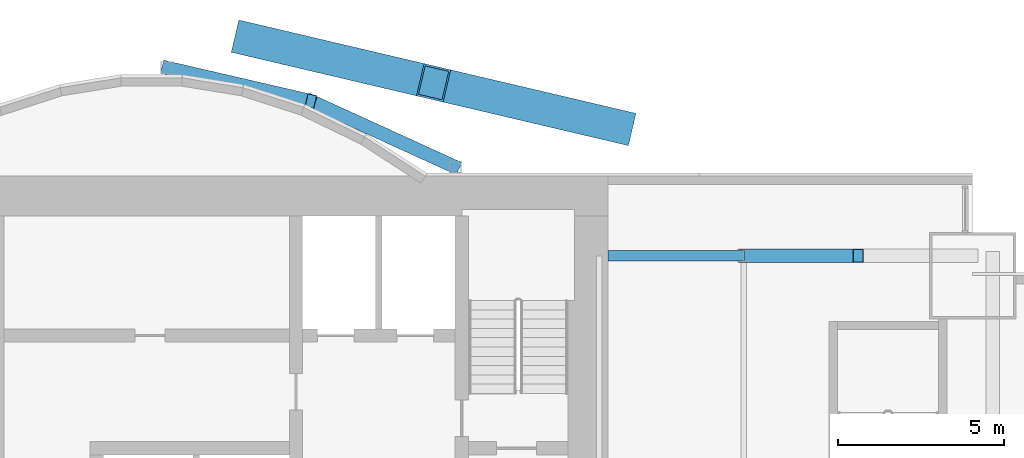
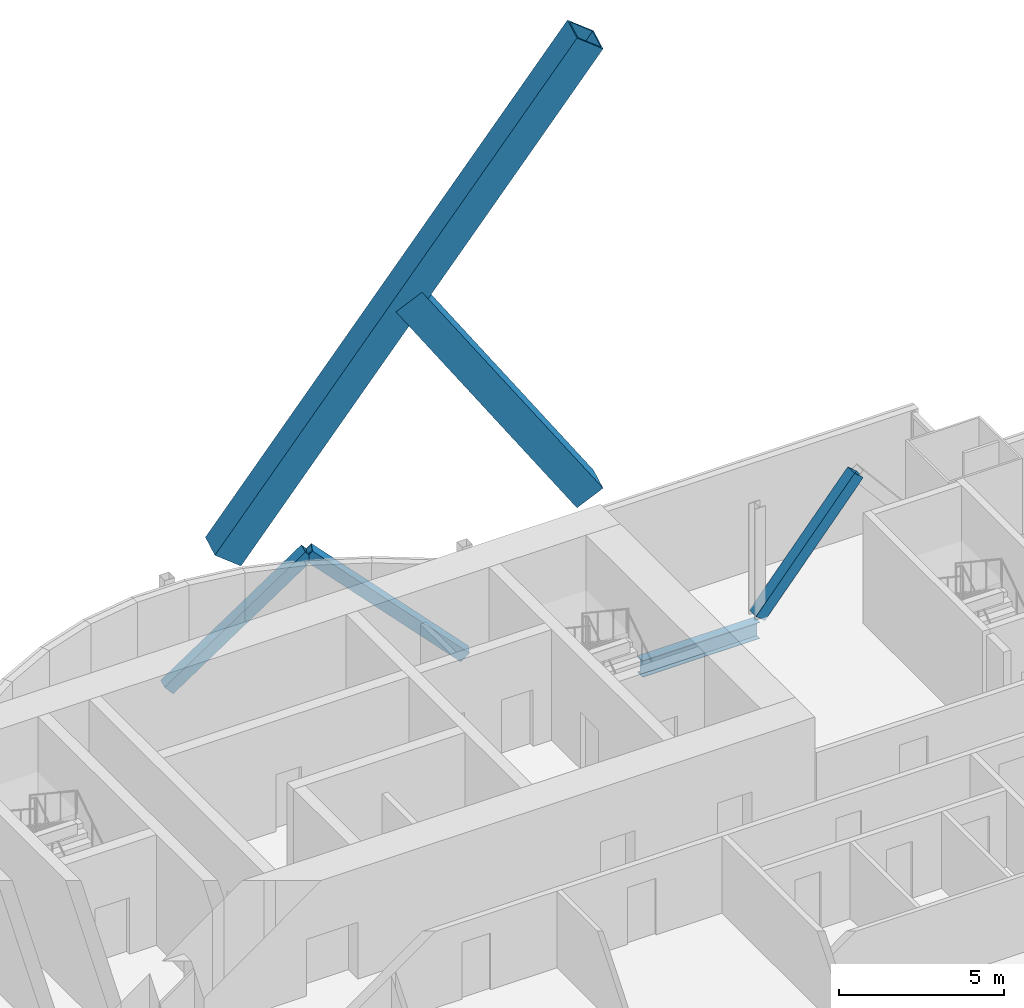
# One storey, part 13 of 22: 5 members, 1 beam.
"""IFC4 building model written with IfcOpenShell, lengths in metres."""

from ifc_helpers import new_model, si_unit, direction, frame, origin, origin_2d, place, context, subcontext, project, spatial, hollow_rectangle, i_section, extrude, material, material_profile, profile_set, type_object, element, save


model = new_model("IFC4")

# Units and contexts
model_context = context("Model", 3, precision=1e-05, world=origin(), true_north=direction((0.0, 1.0)))
body_context = subcontext(model_context, "Body", "Model", "MODEL_VIEW")
ifc_project = project(units=[si_unit("LENGTHUNIT", "METRE"), si_unit("AREAUNIT", "SQUARE_METRE"), si_unit("VOLUMEUNIT", "CUBIC_METRE"), si_unit("PLANEANGLEUNIT", "RADIAN"), si_unit("MASSUNIT", "GRAM", prefix="KILO")], contexts=[model_context])

# Site, building, storey
site_placement = place(None, origin())
site = spatial("IfcSite", under=ifc_project, at=site_placement, CompositionType="ELEMENT")
building_placement = place(site_placement, origin())
building = spatial("IfcBuilding", under=site, at=building_placement, Name="Bicima Exchange Tower", CompositionType="ELEMENT")
storey_placement = place(building_placement, frame((0.0, 0.0, 203.199951171875)))
storey = spatial("IfcBuildingStorey", under=building, at=storey_placement, Name="L45", CompositionType="ELEMENT", Elevation=203.199951171875)

# Members
ifc_material_1 = material(Name="Steel ASTM A572 Gr 50", Category="steel")
ifc_material_profile_1 = material_profile(ifc_material_1, hollow_rectangle(XDim=1.0, YDim=1.0, WallThickness=0.06005859375, at=origin_2d()))
ifc_profile_set_1 = profile_set([ifc_material_profile_1], Name="Steel ASTM A572 Gr 50")
member_type_1 = type_object("IfcMemberType", Name="Exo mega brace BOX 1000x1000x60", PredefinedType="BRACE", material=ifc_profile_set_1)
member_1_placement = place(storey_placement, frame((11.166748046875, 4.125, 3.63330078125), z_axis=(0.54817644634, -0.128864251848, 0.826375573377), x_axis=(0.228840031766, 0.973464041381, 0.0)))
element("IfcMember", 1, at=member_1_placement, inside=storey, type_object=member_type_1, Name="Exo mega brace rear", PredefinedType="BRACE", context=body_context, shape_type="SweptSolid", body=[
    extrude(hollow_rectangle(XDim=1.0, YDim=1.0, WallThickness=0.06005859375, at=origin_2d()), origin(), (0.0, 0.0, 1.0), 20.370361328125),
])
member_2_placement = place(storey_placement, frame((22.333251953125, 1.5, 3.63330078125), z_axis=(-0.54817644634, 0.128864251848, 0.826375573377), x_axis=(-0.228840031766, -0.973464041381, 0.0)))
element("IfcMember", 2, at=member_2_placement, inside=storey, type_object=member_type_1, Name="Exo mega brace rear", PredefinedType="BRACE", context=body_context, shape_type="SweptSolid", body=[
    extrude(hollow_rectangle(XDim=1.0, YDim=1.0, WallThickness=0.06005859375, at=origin_2d()), origin(), (0.0, 0.0, 1.0), 10.18505859375),
])
ifc_material_profile_2 = material_profile(ifc_material_1, hollow_rectangle(XDim=0.406494140625, YDim=0.406494140625, WallThickness=0.0146484375, at=origin_2d()))
ifc_profile_set_2 = profile_set([ifc_material_profile_2], Name="Steel ASTM A572 Gr 50")
member_type_2 = type_object("IfcMemberType", Name="Mega brace HSS16x16x5/8", PredefinedType="BRACE", material=ifc_profile_set_2)
member_3_placement = place(storey_placement, frame((8.699951171875, 3.26904296875, 0.0), z_axis=(0.717605620354, -0.166050509188, 0.676364843878), x_axis=(0.225438503722, 0.974257399787, 0.0)))
element("IfcMember", 3, at=member_3_placement, inside=storey, type_object=member_type_2, Name="Mega brace rexo", PredefinedType="BRACE", context=body_context, shape_type="SweptSolid", body=[
    extrude(hollow_rectangle(XDim=0.406494140625, YDim=0.406494140625, WallThickness=0.0146484375, at=origin_2d()), origin(), (0.0, 0.0, 1.0), 6.06201171875),
])
member_4_placement = place(storey_placement, frame((17.39990234375, 0.278076171875, 0.0), z_axis=(-0.690628963585, 0.315060460011, 0.650975069565), x_axis=(-0.415045223819, -0.909800781592, 0.0)))
element("IfcMember", 4, at=member_4_placement, inside=storey, type_object=member_type_2, Name="Mega brace rexo", PredefinedType="BRACE", context=body_context, shape_type="SweptSolid", body=[
    extrude(hollow_rectangle(XDim=0.406494140625, YDim=0.406494140625, WallThickness=0.0146484375, at=origin_2d()), origin(), (0.0, 0.0, 1.0), 6.29833984375),
])
member_5_placement = place(storey_placement, frame((26.10009765625, -2.39990234375, 0.0), z_axis=(0.643834042494, 0.0, 0.765165162384), x_axis=(0.0, 1.0, 0.0)))
element("IfcMember", 5, at=member_5_placement, inside=storey, type_object=member_type_2, Name="Mega brace rear", PredefinedType="BRACE", context=body_context, shape_type="SweptSolid", body=[
    extrude(hollow_rectangle(XDim=0.406494140625, YDim=0.406494140625, WallThickness=0.0146484375, at=origin_2d()), origin(), (0.0, 0.0, 1.0), 5.3583984375),
])

# Beam
ifc_material_2 = material(Name="Steel ASTM A992 Gr 50", Category="steel")
ifc_material_profile_3 = material_profile(ifc_material_2, i_section(OverallWidth=0.3251953125, OverallDepth=0.612060546875, WebThickness=0.0126953125, FlangeThickness=0.01904296875, at=origin_2d()))
ifc_profile_set_3 = profile_set([ifc_material_profile_3], Name="Steel ASTM A992 Gr 50")
beam_type = type_object("IfcBeamType", Name="Rear girder W24x104", PredefinedType="BEAM", material=ifc_profile_set_3)
beam_placement = place(storey_placement, frame((22.0, -2.39990234375, -0.4560546875), z_axis=(1.0, 0.0, 0.0), x_axis=(0.0, 1.0, 0.0)))
element("IfcBeam", 6, at=beam_placement, inside=storey, type_object=beam_type, Name="Rear girder", PredefinedType="BEAM", context=body_context, shape_type="SweptSolid", body=[
    extrude(i_section(OverallWidth=0.3251953125, OverallDepth=0.612060546875, WebThickness=0.0126953125, FlangeThickness=0.01904296875, at=origin_2d()), origin(), (0.0, 0.0, 1.0), 4.10009765625),
])

save(model, "model.ifc")
